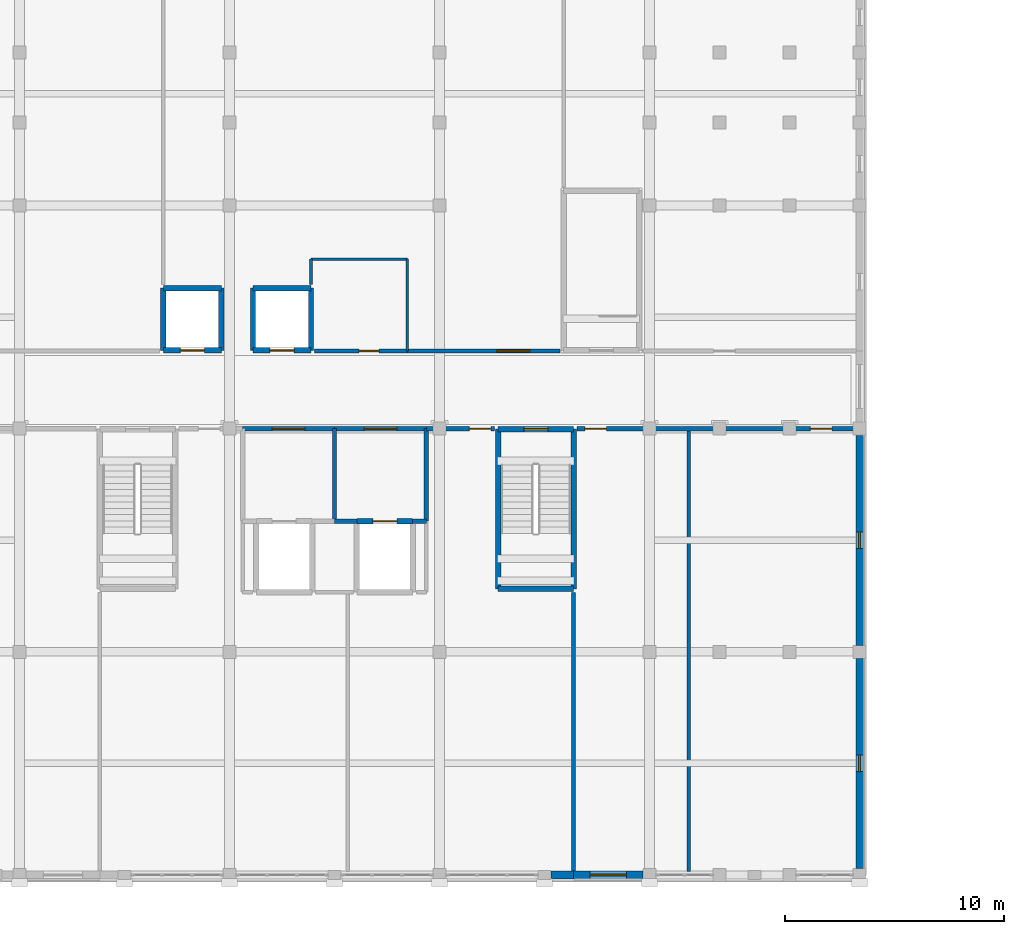
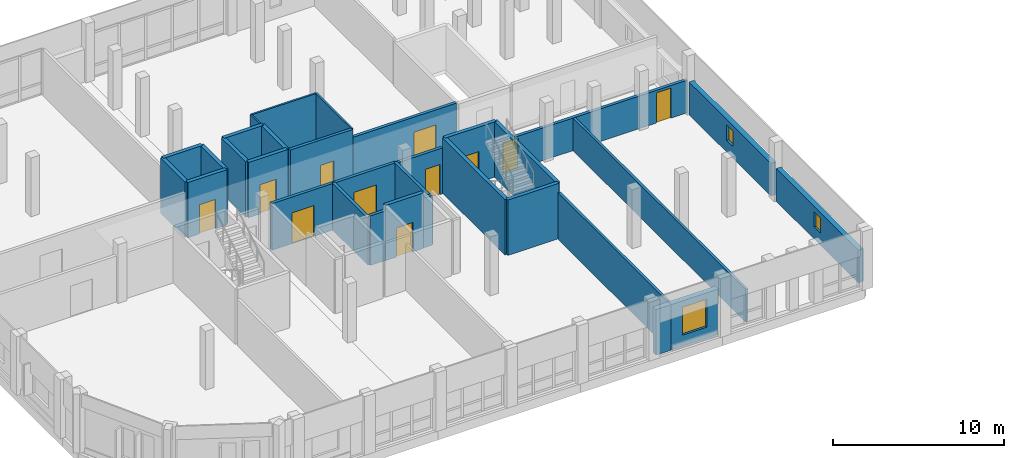
# One storey, part 80 of 93: 32 walls, 11 doors, 3 windows, 14 openings.
"""IFC4 building model written with IfcOpenShell, lengths in metres."""

from ifc_helpers import new_model, si_unit, direction, frame, frame_2d, origin, place, context, subcontext, project, spatial, rectangle, extrude, material, layer, layer_set, type_object, element, fill, save


model = new_model("IFC4")

# Units and contexts
model_context = context("Model", 3, precision=1e-05, world=origin(), true_north=direction((0.0, 1.0)))
body_context = subcontext(model_context, "Body", "Model", "MODEL_VIEW")
ifc_project = project(units=[si_unit("LENGTHUNIT", "METRE"), si_unit("AREAUNIT", "SQUARE_METRE"), si_unit("VOLUMEUNIT", "CUBIC_METRE"), si_unit("PLANEANGLEUNIT", "RADIAN"), si_unit("MASSUNIT", "GRAM", prefix="KILO")], contexts=[model_context])

# Site, building, storey
site_placement = place(None, origin())
site = spatial("IfcSite", under=ifc_project, at=site_placement, CompositionType="ELEMENT")
building_placement = place(site_placement, origin())
building = spatial("IfcBuilding", under=site, at=building_placement, Name="Vondelvale Polytechnic", CompositionType="ELEMENT")
storey_placement = place(building_placement, frame((0.0, 0.0, 18.0)))
storey = spatial("IfcBuildingStorey", under=building, at=storey_placement, Name="L04", CompositionType="ELEMENT", Elevation=18.0)

# Wall
ifc_material_1 = material(Name="Amsterdam School iron-spot clinker clay brickwork", Category="masonry")
ifc_layer_1 = layer(ifc_material_1, 0.35009765625)
ifc_layer_set_1 = layer_set([ifc_layer_1], Name="WL-BRICK-350")
wall_type_1 = type_object("IfcWallType", Name="WL-BRICK-350", PredefinedType="SOLIDWALL", material=ifc_layer_set_1)
wall_1_placement = place(storey_placement, frame((34.925048828125, 0.0, 0.0), z_axis=(0.0, 0.0, 1.0), x_axis=(-1.0, 0.0, 0.0)))
element("IfcWall", 1, at=wall_1_placement, inside=storey, type_object=wall_type_1, Name="L04 exterior masonry facade wall", PredefinedType="SOLIDWALL", context=body_context, shape_type="SweptSolid", body=[
    extrude(rectangle(XDim=1.024169921875, YDim=0.35009765625, at=frame_2d((0.51220703125, 0.0))), origin(), (0.0, 0.0, 1.0), 3.25),
])

# Wall, opening, window
wall_2_placement = place(storey_placement, frame((38.09912109375, 0.0, 0.0), z_axis=(0.0, 0.0, 1.0), x_axis=(-1.0, 0.0, 0.0)))
wall_2 = element("IfcWall", 2, at=wall_2_placement, inside=storey, type_object=wall_type_1, Name="L04 exterior masonry facade wall", PredefinedType="SOLIDWALL", context=body_context, shape_type="SweptSolid", body=[
    extrude(rectangle(XDim=3.174072265625, YDim=0.35009765625, at=frame_2d((1.5869140625, 0.0))), origin(), (0.0, 0.0, 1.0), 3.25),
])
opening_1_placement = place(wall_2_placement, frame((0.761962890625, 0.0, 0.800048828125)))
opening_1 = element("IfcOpeningElement", 3, at=opening_1_placement, cuts=wall_2, Name="Opening WN-0236", PredefinedType="OPENING", context=body_context, shape_type="SweptSolid", body=[
    extrude(rectangle(XDim=1.64990234375, YDim=2.0, at=frame_2d((0.824951171875, 1.0))), frame((0.0, 0.18505859375, 0.0), z_axis=(0.0, -1.0, 0.0), x_axis=(1.0, 0.0, 0.0)), (0.0, 0.0, 1.0), 0.3701171875),
])
ifc_material_2 = material(Name="Double-glazed low-E insulated architectural glass", Category="glass")
window_type_1 = type_object("IfcWindowType", Name="WN-LAB-1650x2000", PartitioningType="SINGLE_PANEL", PredefinedType="WINDOW", material=ifc_material_2)
window_1_placement = place(opening_1_placement, origin())
window_1 = element("IfcWindow", 4, at=window_1_placement, inside=storey, type_object=window_type_1, Name="L04 double-glazed architectural window WN-0236", OverallHeight=2.0, OverallWidth=1.64990234375, PartitioningType="SINGLE_PANEL", PredefinedType="WINDOW", context=body_context, shape_type="SweptSolid", body=[
    extrude(rectangle(XDim=1.64990234375, YDim=2.0, at=frame_2d((0.824951171875, 1.0))), frame((0.0, 0.030029296875, 0.0), z_axis=(0.0, -1.0, 0.0), x_axis=(1.0, 0.0, 0.0)), (0.0, 0.0, 1.0), 0.06005859375),
])
fill(opening_1, window_1)

wall_3_placement = place(storey_placement, frame((48.0, 9.89892578125, 0.0), z_axis=(0.0, 0.0, 1.0), x_axis=(0.0, -1.0, 0.0)))
wall_3 = element("IfcWall", 5, at=wall_3_placement, inside=storey, type_object=wall_type_1, Name="L04 exterior masonry facade wall", PredefinedType="SOLIDWALL", context=body_context, shape_type="SweptSolid", body=[
    extrude(rectangle(XDim=9.597900390625, YDim=0.35009765625, at=frame_2d((4.798828125, 0.0))), origin(), (0.0, 0.0, 1.0), 2.330078125),
])
opening_2_placement = place(wall_3_placement, frame((4.424072265625, 0.0, 0.85009765625)))
opening_2 = element("IfcOpeningElement", 6, at=opening_2_placement, cuts=wall_3, Name="Opening WN-0243", PredefinedType="OPENING", context=body_context, shape_type="SweptSolid", body=[
    extrude(rectangle(XDim=0.75, YDim=1.10009765625, at=frame_2d((0.375, 0.550048828125))), frame((0.0, 0.18505859375, 0.0), z_axis=(0.0, -1.0, 0.0), x_axis=(1.0, 0.0, 0.0)), (0.0, 0.0, 1.0), 0.3701171875),
])
window_type_2 = type_object("IfcWindowType", Name="WN-WC-0750x1100", PartitioningType="SINGLE_PANEL", PredefinedType="WINDOW", material=ifc_material_2)
window_2_placement = place(opening_2_placement, origin())
window_2 = element("IfcWindow", 7, at=window_2_placement, inside=storey, type_object=window_type_2, Name="L04 double-glazed architectural window WN-0243", OverallHeight=1.10009765625, OverallWidth=0.75, PartitioningType="SINGLE_PANEL", PredefinedType="WINDOW", context=body_context, shape_type="SweptSolid", body=[
    extrude(rectangle(XDim=0.75, YDim=1.10009765625, at=frame_2d((0.375, 0.550048828125))), frame((0.0, 0.030029296875, 0.0), z_axis=(0.0, -1.0, 0.0), x_axis=(1.0, 0.0, 0.0)), (0.0, 0.0, 1.0), 0.06005859375),
])
fill(opening_2, window_2)

wall_4_placement = place(storey_placement, frame((48.0, 20.09912109375, 0.0), z_axis=(0.0, 0.0, 1.0), x_axis=(0.0, -1.0, 0.0)))
wall_4 = element("IfcWall", 8, at=wall_4_placement, inside=storey, type_object=wall_type_1, Name="L04 exterior masonry facade wall", PredefinedType="SOLIDWALL", context=body_context, shape_type="SweptSolid", body=[
    extrude(rectangle(XDim=9.59814453125, YDim=0.35009765625, at=frame_2d((4.799072265625, 0.0))), origin(), (0.0, 0.0, 1.0), 2.330078125),
])
opening_3_placement = place(wall_4_placement, frame((4.424072265625, 0.0, 0.85009765625)))
opening_3 = element("IfcOpeningElement", 9, at=opening_3_placement, cuts=wall_4, Name="Opening WN-0244", PredefinedType="OPENING", context=body_context, shape_type="SweptSolid", body=[
    extrude(rectangle(XDim=0.75, YDim=1.10009765625, at=frame_2d((0.375, 0.550048828125))), frame((0.0, 0.18505859375, 0.0), z_axis=(0.0, -1.0, 0.0), x_axis=(1.0, 0.0, 0.0)), (0.0, 0.0, 1.0), 0.3701171875),
])
window_3_placement = place(opening_3_placement, origin())
window_3 = element("IfcWindow", 10, at=window_3_placement, inside=storey, type_object=window_type_2, Name="L04 double-glazed architectural window WN-0244", OverallHeight=1.10009765625, OverallWidth=0.75, PartitioningType="SINGLE_PANEL", PredefinedType="WINDOW", context=body_context, shape_type="SweptSolid", body=[
    extrude(rectangle(XDim=0.75, YDim=1.10009765625, at=frame_2d((0.375, 0.550048828125))), frame((0.0, 0.030029296875, 0.0), z_axis=(0.0, -1.0, 0.0), x_axis=(1.0, 0.0, 0.0)), (0.0, 0.0, 1.0), 0.06005859375),
])
fill(opening_3, window_3)

# Walls
ifc_material_3 = material(Name="Concrete N40 (f'c = 40 MPa)", Category="concrete")
ifc_layer_2 = layer(ifc_material_3, 0.25)
ifc_layer_set_2 = layer_set([ifc_layer_2], Name="WL-CORE-250")
wall_type_2 = type_object("IfcWallType", Name="WL-CORE-250", PredefinedType="SOLIDWALL", material=ifc_layer_set_2)
wall_5_placement = place(storey_placement, frame((31.47509765625, 20.375, 0.0), z_axis=(0.0, 0.0, 1.0), x_axis=(0.0, -1.0, 0.0)))
element("IfcWall", 11, at=wall_5_placement, inside=storey, type_object=wall_type_2, Name="L04 ST-04 reinforced concrete stair core wall", PredefinedType="SOLIDWALL", context=body_context, shape_type="SweptSolid", body=[
    extrude(rectangle(XDim=7.300048828125, YDim=0.25, at=frame_2d((3.64990234375, 0.0))), origin(), (0.0, 0.0, 1.0), 3.949951171875),
])
wall_6_placement = place(storey_placement, frame((31.47509765625, 13.074951171875, 0.0), z_axis=(0.0, 0.0, 1.0), x_axis=(1.0, 0.0, 0.0)))
element("IfcWall", 12, at=wall_6_placement, inside=storey, type_object=wall_type_2, Name="L04 ST-04 reinforced concrete stair core wall", PredefinedType="SOLIDWALL", context=body_context, shape_type="SweptSolid", body=[
    extrude(rectangle(XDim=3.449951171875, YDim=0.25, at=frame_2d((1.72509765625, 0.0))), origin(), (0.0, 0.0, 1.0), 3.949951171875),
])
wall_7_placement = place(storey_placement, frame((34.925048828125, 13.074951171875, 0.0), z_axis=(0.0, 0.0, 1.0), x_axis=(0.0, 1.0, 0.0)))
element("IfcWall", 13, at=wall_7_placement, inside=storey, type_object=wall_type_2, Name="L04 ST-04 reinforced concrete stair core wall", PredefinedType="SOLIDWALL", context=body_context, shape_type="SweptSolid", body=[
    extrude(rectangle(XDim=7.300048828125, YDim=0.25, at=frame_2d((3.64990234375, 0.0))), origin(), (0.0, 0.0, 1.0), 3.949951171875),
])

# Wall, opening, door
wall_8_placement = place(storey_placement, frame((34.925048828125, 20.375, 0.0), z_axis=(0.0, 0.0, 1.0), x_axis=(-1.0, 0.0, 0.0)))
wall_8 = element("IfcWall", 14, at=wall_8_placement, inside=storey, type_object=wall_type_2, Name="L04 ST-04 reinforced concrete stair core wall", PredefinedType="SOLIDWALL", context=body_context, shape_type="SweptSolid", body=[
    extrude(rectangle(XDim=3.449951171875, YDim=0.25, at=frame_2d((1.72509765625, 0.0))), origin(), (0.0, 0.0, 1.0), 3.949951171875),
])
opening_4_placement = place(wall_8_placement, frame((1.175048828125, 0.0, 0.0)))
opening_4 = element("IfcOpeningElement", 15, at=opening_4_placement, cuts=wall_8, Name="Opening SD-023", PredefinedType="OPENING", context=body_context, shape_type="SweptSolid", body=[
    extrude(rectangle(XDim=1.10009765625, YDim=2.199951171875, at=frame_2d((0.550048828125, 1.10009765625))), frame((0.0, 0.135009765625, 0.0), z_axis=(0.0, -1.0, 0.0), x_axis=(1.0, 0.0, 0.0)), (0.0, 0.0, 1.0), 0.27001953125),
])
ifc_material_4 = material(Name="Brushed architectural stainless and zinc-coated metal")
door_type_1 = type_object("IfcDoorType", Name="DR-STAIR-1100x2200", OperationType="SINGLE_SWING_LEFT", PredefinedType="DOOR", material=ifc_material_4)
door_1_placement = place(opening_4_placement, origin())
door_1 = element("IfcDoor", 16, at=door_1_placement, inside=storey, type_object=door_type_1, Name="L04 ST-04 fire-isolated stair door", OperationType="SINGLE_SWING_LEFT", OverallHeight=2.199951171875, OverallWidth=1.10009765625, PredefinedType="DOOR", context=body_context, shape_type="SweptSolid", body=[
    extrude(rectangle(XDim=1.10009765625, YDim=2.199951171875, at=frame_2d((0.550048828125, 1.10009765625))), frame((0.0, 0.02490234375, 0.0), z_axis=(0.0, -1.0, 0.0), x_axis=(1.0, 0.0, 0.0)), (0.0, 0.0, 1.0), 0.050048828125),
])
fill(opening_4, door_1)

ifc_material_5 = material(Name="Fire-rated double-layer plasterboard stud partition")
ifc_layer_3 = layer(ifc_material_5, 0.199951171875)
ifc_layer_set_3 = layer_set([ifc_layer_3], Name="WL-CORR-200")
wall_type_3 = type_object("IfcWallType", Name="WL-CORR-200", PredefinedType="PARTITIONING", material=ifc_layer_set_3)
wall_9_placement = place(storey_placement, frame((19.800048828125, 20.39990234375, 0.0), z_axis=(0.0, 0.0, 1.0), x_axis=(1.0, 0.0, 0.0)))
wall_9 = element("IfcWall", 17, at=wall_9_placement, inside=storey, type_object=wall_type_3, Name="L04 EL-01 fire-isolated lift lobby wall", PredefinedType="PARTITIONING", context=body_context, shape_type="SweptSolid", body=[
    extrude(rectangle(XDim=4.199951171875, YDim=0.199951171875, at=frame_2d((2.10009765625, 0.0))), origin(), (0.0, 0.0, 1.0), 3.330078125),
])
opening_5_placement = place(wall_9_placement, frame((1.35009765625, 0.0, 0.0)))
opening_5 = element("IfcOpeningElement", 18, at=opening_5_placement, cuts=wall_9, Name="Opening LBD-061", PredefinedType="OPENING", context=body_context, shape_type="SweptSolid", body=[
    extrude(rectangle(XDim=1.5, YDim=2.199951171875, at=frame_2d((0.75, 1.10009765625))), frame((0.0, 0.10986328125, 0.0), z_axis=(0.0, -1.0, 0.0), x_axis=(1.0, 0.0, 0.0)), (0.0, 0.0, 1.0), 0.219970703125),
])
ifc_material_6 = material(Name="Engineered Tasmanian oak studio and bridge joinery")
door_type_2 = type_object("IfcDoorType", Name="DR-LOBBY-1500x2200", OperationType="DOUBLE_DOOR_SINGLE_SWING", PredefinedType="DOOR", material=ifc_material_6)
door_2_placement = place(opening_5_placement, origin())
door_2 = element("IfcDoor", 19, at=door_2_placement, inside=storey, type_object=door_type_2, Name="L04 EL-01 firefighting lobby smoke door", OperationType="SINGLE_SWING_LEFT", OverallHeight=2.199951171875, OverallWidth=1.5, PredefinedType="DOOR", context=body_context, shape_type="SweptSolid", body=[
    extrude(rectangle(XDim=1.5, YDim=2.199951171875, at=frame_2d((0.75, 1.10009765625))), frame((0.0, 0.02490234375, 0.0), z_axis=(0.0, -1.0, 0.0), x_axis=(1.0, 0.0, 0.0)), (0.0, 0.0, 1.0), 0.050048828125),
])
fill(opening_5, door_2)

# Wall
wall_10_placement = place(storey_placement, frame((24.0, 16.175048828125, 0.0), z_axis=(0.0, 0.0, 1.0), x_axis=(0.0, 1.0, 0.0)))
element("IfcWall", 20, at=wall_10_placement, inside=storey, type_object=wall_type_3, Name="L04 EL-01 fire-isolated lift lobby wall", PredefinedType="PARTITIONING", context=body_context, shape_type="SweptSolid", body=[
    extrude(rectangle(XDim=4.224853515625, YDim=0.199951171875, at=frame_2d((2.1123046875, 0.0))), origin(), (0.0, 0.0, 1.0), 3.330078125),
])

# Wall, opening, door
wall_11_placement = place(storey_placement, frame((24.0, 20.39990234375, 0.0), z_axis=(0.0, 0.0, 1.0), x_axis=(1.0, 0.0, 0.0)))
wall_11 = element("IfcWall", 21, at=wall_11_placement, inside=storey, type_object=wall_type_3, Name="L04 EL-02 fire-isolated lift lobby wall", PredefinedType="PARTITIONING", context=body_context, shape_type="SweptSolid", body=[
    extrude(rectangle(XDim=4.199951171875, YDim=0.199951171875, at=frame_2d((2.10009765625, 0.0))), origin(), (0.0, 0.0, 1.0), 3.330078125),
])
opening_6_placement = place(wall_11_placement, frame((1.35009765625, 0.0, 0.0)))
opening_6 = element("IfcOpeningElement", 22, at=opening_6_placement, cuts=wall_11, Name="Opening LBD-070", PredefinedType="OPENING", context=body_context, shape_type="SweptSolid", body=[
    extrude(rectangle(XDim=1.5, YDim=2.199951171875, at=frame_2d((0.75, 1.10009765625))), frame((0.0, 0.10986328125, 0.0), z_axis=(0.0, -1.0, 0.0), x_axis=(1.0, 0.0, 0.0)), (0.0, 0.0, 1.0), 0.219970703125),
])
door_3_placement = place(opening_6_placement, origin())
door_3 = element("IfcDoor", 23, at=door_3_placement, inside=storey, type_object=door_type_2, Name="L04 EL-02 firefighting lobby smoke door", OperationType="SINGLE_SWING_LEFT", OverallHeight=2.199951171875, OverallWidth=1.5, PredefinedType="DOOR", context=body_context, shape_type="SweptSolid", body=[
    extrude(rectangle(XDim=1.5, YDim=2.199951171875, at=frame_2d((0.75, 1.10009765625))), frame((0.0, 0.02490234375, 0.0), z_axis=(0.0, -1.0, 0.0), x_axis=(1.0, 0.0, 0.0)), (0.0, 0.0, 1.0), 0.050048828125),
])
fill(opening_6, door_3)

# Walls
wall_12_placement = place(storey_placement, frame((28.199951171875, 16.175048828125, 0.0), z_axis=(0.0, 0.0, 1.0), x_axis=(0.0, 1.0, 0.0)))
element("IfcWall", 24, at=wall_12_placement, inside=storey, type_object=wall_type_3, Name="L04 EL-02 fire-isolated lift lobby wall", PredefinedType="PARTITIONING", context=body_context, shape_type="SweptSolid", body=[
    extrude(rectangle(XDim=4.224853515625, YDim=0.199951171875, at=frame_2d((2.1123046875, 0.0))), origin(), (0.0, 0.0, 1.0), 3.330078125),
])
wall_13_placement = place(storey_placement, frame((24.0, 16.175048828125, 0.0), z_axis=(0.0, 0.0, 1.0), x_axis=(1.0, 0.0, 0.0)))
element("IfcWall", 25, at=wall_13_placement, inside=storey, type_object=wall_type_3, Name="L04 EL-02 fire-isolated lift lobby wall", PredefinedType="PARTITIONING", context=body_context, shape_type="SweptSolid", body=[
    extrude(rectangle(XDim=1.02490234375, YDim=0.199951171875, at=frame_2d((0.512451171875, 0.0))), origin(), (0.0, 0.0, 1.0), 3.550048828125),
])
wall_14_placement = place(storey_placement, frame((27.574951171875, 16.175048828125, 0.0), z_axis=(0.0, 0.0, 1.0), x_axis=(1.0, 0.0, 0.0)))
element("IfcWall", 26, at=wall_14_placement, inside=storey, type_object=wall_type_3, Name="L04 EL-02 fire-isolated lift lobby wall", PredefinedType="PARTITIONING", context=body_context, shape_type="SweptSolid", body=[
    extrude(rectangle(XDim=0.625, YDim=0.199951171875, at=frame_2d((0.3125, 0.0))), origin(), (0.0, 0.0, 1.0), 3.550048828125),
])

# Wall, opening, door
wall_15_placement = place(storey_placement, frame((28.199951171875, 20.39990234375, 0.0), z_axis=(0.0, 0.0, 1.0), x_axis=(1.0, 0.0, 0.0)))
wall_15 = element("IfcWall", 27, at=wall_15_placement, inside=storey, type_object=wall_type_3, Name="L04 interior acoustic partition", PredefinedType="PARTITIONING", context=body_context, shape_type="SweptSolid", body=[
    extrude(rectangle(XDim=3.110107421875, YDim=0.199951171875, at=frame_2d((1.55517578125, 0.0))), origin(), (0.0, 0.0, 1.0), 3.280029296875),
])
opening_7_placement = place(wall_15_placement, frame((1.969970703125, 0.0, 0.0)))
opening_7 = element("IfcOpeningElement", 28, at=opening_7_placement, cuts=wall_15, Name="Opening ID-0179", PredefinedType="OPENING", context=body_context, shape_type="SweptSolid", body=[
    extrude(rectangle(XDim=0.97998046875, YDim=2.14990234375, at=frame_2d((0.489990234375, 1.074951171875))), frame((0.0, 0.10986328125, 0.0), z_axis=(0.0, -1.0, 0.0), x_axis=(1.0, 0.0, 0.0)), (0.0, 0.0, 1.0), 0.219970703125),
])
ifc_material_7 = material(Name="Fire-rated solid Tasmanian oak joinery")
door_type_3 = type_object("IfcDoorType", Name="DR-INT-0980x2150", OperationType="SINGLE_SWING_RIGHT", PredefinedType="DOOR", material=ifc_material_7)
door_4_placement = place(opening_7_placement, origin())
door_4 = element("IfcDoor", 29, at=door_4_placement, inside=storey, type_object=door_type_3, Name="L04 interior room door ID-0179", OperationType="SINGLE_SWING_LEFT", OverallHeight=2.14990234375, OverallWidth=0.97998046875, PredefinedType="DOOR", context=body_context, shape_type="SweptSolid", body=[
    extrude(rectangle(XDim=0.97998046875, YDim=2.14990234375, at=frame_2d((0.489990234375, 1.074951171875))), frame((0.0, 0.02490234375, 0.0), z_axis=(0.0, -1.0, 0.0), x_axis=(1.0, 0.0, 0.0)), (0.0, 0.0, 1.0), 0.050048828125),
])
fill(opening_7, door_4)

# Wall, openings, doors
wall_16_placement = place(storey_placement, frame((35.090087890625, 20.39990234375, 0.0), z_axis=(0.0, 0.0, 1.0), x_axis=(1.0, 0.0, 0.0)))
wall_16 = element("IfcWall", 30, at=wall_16_placement, inside=storey, type_object=wall_type_3, Name="L04 interior acoustic partition", PredefinedType="PARTITIONING", context=body_context, shape_type="SweptSolid", body=[
    extrude(rectangle(XDim=12.760009765625, YDim=0.199951171875, at=frame_2d((6.3798828125, 0.0))), origin(), (0.0, 0.0, 1.0), 2.330078125),
])
opening_8_placement = place(wall_16_placement, frame((0.35498046875, 0.0, 0.0)))
opening_8 = element("IfcOpeningElement", 31, at=opening_8_placement, cuts=wall_16, Name="Opening ID-0180", PredefinedType="OPENING", context=body_context, shape_type="SweptSolid", body=[
    extrude(rectangle(XDim=0.97998046875, YDim=2.14990234375, at=frame_2d((0.489990234375, 1.074951171875))), frame((0.0, 0.10986328125, 0.0), z_axis=(0.0, -1.0, 0.0), x_axis=(1.0, 0.0, 0.0)), (0.0, 0.0, 1.0), 0.219970703125),
])
opening_9_placement = place(wall_16_placement, frame((10.659912109375, 0.0, 0.0)))
opening_9 = element("IfcOpeningElement", 32, at=opening_9_placement, cuts=wall_16, Name="Opening ID-0181", PredefinedType="OPENING", context=body_context, shape_type="SweptSolid", body=[
    extrude(rectangle(XDim=0.97998046875, YDim=2.14990234375, at=frame_2d((0.489990234375, 1.074951171875))), frame((0.0, 0.10986328125, 0.0), z_axis=(0.0, -1.0, 0.0), x_axis=(1.0, 0.0, 0.0)), (0.0, 0.0, 1.0), 0.219970703125),
])
door_5_placement = place(opening_8_placement, origin())
door_5 = element("IfcDoor", 33, at=door_5_placement, inside=storey, type_object=door_type_3, Name="L04 interior room door ID-0180", OperationType="SINGLE_SWING_RIGHT", OverallHeight=2.14990234375, OverallWidth=0.97998046875, PredefinedType="DOOR", context=body_context, shape_type="SweptSolid", body=[
    extrude(rectangle(XDim=0.97998046875, YDim=2.14990234375, at=frame_2d((0.489990234375, 1.074951171875))), frame((0.0, 0.02490234375, 0.0), z_axis=(0.0, -1.0, 0.0), x_axis=(1.0, 0.0, 0.0)), (0.0, 0.0, 1.0), 0.050048828125),
])
fill(opening_8, door_5)
door_6_placement = place(opening_9_placement, origin())
door_6 = element("IfcDoor", 34, at=door_6_placement, inside=storey, type_object=door_type_3, Name="L04 interior room door ID-0181", OperationType="SINGLE_SWING_LEFT", OverallHeight=2.14990234375, OverallWidth=0.97998046875, PredefinedType="DOOR", context=body_context, shape_type="SweptSolid", body=[
    extrude(rectangle(XDim=0.97998046875, YDim=2.14990234375, at=frame_2d((0.489990234375, 1.074951171875))), frame((0.0, 0.02490234375, 0.0), z_axis=(0.0, -1.0, 0.0), x_axis=(1.0, 0.0, 0.0)), (0.0, 0.0, 1.0), 0.050048828125),
])
fill(opening_9, door_6)

# Wall, opening, door
wall_17_placement = place(storey_placement, frame((23.090087890625, 23.949951171875, 0.0), z_axis=(0.0, 0.0, 1.0), x_axis=(1.0, 0.0, 0.0)))
wall_17 = element("IfcWall", 35, at=wall_17_placement, inside=storey, type_object=wall_type_3, Name="L04 interior acoustic partition", PredefinedType="PARTITIONING", context=body_context, shape_type="SweptSolid", body=[
    extrude(rectangle(XDim=4.23486328125, YDim=0.199951171875, at=frame_2d((2.117431640625, 0.0))), origin(), (0.0, 0.0, 1.0), 3.85009765625),
])
opening_10_placement = place(wall_17_placement, frame((2.034912109375, 0.0, 0.0)))
opening_10 = element("IfcOpeningElement", 36, at=opening_10_placement, cuts=wall_17, Name="Opening ID-0182", PredefinedType="OPENING", context=body_context, shape_type="SweptSolid", body=[
    extrude(rectangle(XDim=0.89990234375, YDim=2.050048828125, at=frame_2d((0.449951171875, 1.02490234375))), frame((0.0, 0.10986328125, 0.0), z_axis=(0.0, -1.0, 0.0), x_axis=(1.0, 0.0, 0.0)), (0.0, 0.0, 1.0), 0.219970703125),
])
door_type_4 = type_object("IfcDoorType", Name="DR-WC-0900x2050", OperationType="SINGLE_SWING_RIGHT", PredefinedType="DOOR", material=ifc_material_7)
door_7_placement = place(opening_10_placement, origin())
door_7 = element("IfcDoor", 37, at=door_7_placement, inside=storey, type_object=door_type_4, Name="L04 interior room door ID-0182", OperationType="SINGLE_SWING_RIGHT", OverallHeight=2.050048828125, OverallWidth=0.89990234375, PredefinedType="DOOR", context=body_context, shape_type="SweptSolid", body=[
    extrude(rectangle(XDim=0.89990234375, YDim=2.050048828125, at=frame_2d((0.449951171875, 1.02490234375))), frame((0.0, 0.02490234375, 0.0), z_axis=(0.0, -1.0, 0.0), x_axis=(1.0, 0.0, 0.0)), (0.0, 0.0, 1.0), 0.050048828125),
])
fill(opening_10, door_7)

wall_18_placement = place(storey_placement, frame((27.324951171875, 23.949951171875, 0.0), z_axis=(0.0, 0.0, 1.0), x_axis=(1.0, 0.0, 0.0)))
wall_18 = element("IfcWall", 38, at=wall_18_placement, inside=storey, type_object=wall_type_3, Name="L04 interior acoustic partition", PredefinedType="PARTITIONING", context=body_context, shape_type="SweptSolid", body=[
    extrude(rectangle(XDim=6.985107421875, YDim=0.199951171875, at=frame_2d((3.49267578125, 0.0))), origin(), (0.0, 0.0, 1.0), 3.280029296875),
])
opening_11_placement = place(wall_18_placement, frame((4.10009765625, 0.0, 0.0)))
opening_11 = element("IfcOpeningElement", 39, at=opening_11_placement, cuts=wall_18, Name="Opening ID-0184", PredefinedType="OPENING", context=body_context, shape_type="SweptSolid", body=[
    extrude(rectangle(XDim=1.5, YDim=2.199951171875, at=frame_2d((0.75, 1.10009765625))), frame((0.0, 0.10986328125, 0.0), z_axis=(0.0, -1.0, 0.0), x_axis=(1.0, 0.0, 0.0)), (0.0, 0.0, 1.0), 0.219970703125),
])
door_type_5 = type_object("IfcDoorType", Name="DR-LAB-1500x2200", OperationType="DOUBLE_DOOR_SINGLE_SWING", PredefinedType="DOOR", material=ifc_material_7)
door_8_placement = place(opening_11_placement, origin())
door_8 = element("IfcDoor", 40, at=door_8_placement, inside=storey, type_object=door_type_5, Name="L04 interior room door ID-0184", OperationType="DOUBLE_DOOR_SINGLE_SWING", OverallHeight=2.199951171875, OverallWidth=1.5, PredefinedType="DOOR", context=body_context, shape_type="SweptSolid", body=[
    extrude(rectangle(XDim=1.5, YDim=2.199951171875, at=frame_2d((0.75, 1.10009765625))), frame((0.0, 0.02490234375, 0.0), z_axis=(0.0, -1.0, 0.0), x_axis=(1.0, 0.0, 0.0)), (0.0, 0.0, 1.0), 0.050048828125),
])
fill(opening_11, door_8)

# Walls
ifc_layer_4 = layer(ifc_material_5, 0.1201171875)
ifc_layer_set_4 = layer_set([ifc_layer_4], Name="WL-INT-120")
wall_type_4 = type_object("IfcWallType", Name="WL-INT-120", PredefinedType="PARTITIONING", material=ifc_layer_set_4)
wall_19_placement = place(storey_placement, frame((22.925048828125, 26.989990234375, 0.0), z_axis=(0.0, 0.0, 1.0), x_axis=(0.0, 1.0, 0.0)))
element("IfcWall", 41, at=wall_19_placement, inside=storey, type_object=wall_type_4, Name="L04 interior acoustic partition", PredefinedType="PARTITIONING", context=body_context, shape_type="SweptSolid", body=[
    extrude(rectangle(XDim=1.159912109375, YDim=0.1201171875, at=frame_2d((0.580078125, 0.0))), origin(), (0.0, 0.0, 1.0), 3.85009765625),
])
wall_20_placement = place(storey_placement, frame((22.925048828125, 28.14990234375, 0.0), z_axis=(0.0, 0.0, 1.0), x_axis=(1.0, 0.0, 0.0)))
element("IfcWall", 42, at=wall_20_placement, inside=storey, type_object=wall_type_4, Name="L04 interior acoustic partition", PredefinedType="PARTITIONING", context=body_context, shape_type="SweptSolid", body=[
    extrude(rectangle(XDim=4.39990234375, YDim=0.1201171875, at=frame_2d((2.199951171875, 0.0))), origin(), (0.0, 0.0, 1.0), 3.85009765625),
])
wall_21_placement = place(storey_placement, frame((27.324951171875, 23.949951171875, 0.0), z_axis=(0.0, 0.0, 1.0), x_axis=(0.0, 1.0, 0.0)))
element("IfcWall", 43, at=wall_21_placement, inside=storey, type_object=wall_type_4, Name="L04 interior acoustic partition", PredefinedType="PARTITIONING", context=body_context, shape_type="SweptSolid", body=[
    extrude(rectangle(XDim=4.199951171875, YDim=0.1201171875, at=frame_2d((2.10009765625, 0.0))), origin(), (0.0, 0.0, 1.0), 3.85009765625),
])
ifc_layer_5 = layer(ifc_material_5, 0.1650390625)
ifc_layer_set_5 = layer_set([ifc_layer_5], Name="WL-INT-165")
wall_type_5 = type_object("IfcWallType", Name="WL-INT-165", PredefinedType="PARTITIONING", material=ifc_layer_set_5)
wall_22_placement = place(storey_placement, frame((34.925048828125, 0.14990234375, 0.0), z_axis=(0.0, 0.0, 1.0), x_axis=(0.0, 1.0, 0.0)))
element("IfcWall", 44, at=wall_22_placement, inside=storey, type_object=wall_type_5, Name="L04 interior acoustic partition", PredefinedType="PARTITIONING", context=body_context, shape_type="SweptSolid", body=[
    extrude(rectangle(XDim=12.760009765625, YDim=0.1650390625, at=frame_2d((6.3798828125, 0.0))), origin(), (0.0, 0.0, 1.0), 3.330078125),
])
wall_23_placement = place(storey_placement, frame((40.199951171875, 0.14990234375, 0.0), z_axis=(0.0, 0.0, 1.0), x_axis=(0.0, 1.0, 0.0)))
element("IfcWall", 45, at=wall_23_placement, inside=storey, type_object=wall_type_5, Name="L04 interior acoustic partition", PredefinedType="PARTITIONING", context=body_context, shape_type="SweptSolid", body=[
    extrude(rectangle(XDim=20.25, YDim=0.1650390625, at=frame_2d((10.125, 0.0))), origin(), (0.0, 0.0, 1.0), 2.330078125),
])

# Wall, opening, door
ifc_layer_6 = layer(ifc_material_3, 0.25)
ifc_layer_set_6 = layer_set([ifc_layer_6], Name="WL-SHAFT-250")
wall_type_6 = type_object("IfcWallType", Name="WL-SHAFT-250", PredefinedType="SOLIDWALL", material=ifc_layer_set_6)
wall_24_placement = place(storey_placement, frame((27.574951171875, 16.175048828125, 0.0), z_axis=(0.0, 0.0, 1.0), x_axis=(-1.0, 0.0, 0.0)))
wall_24 = element("IfcWall", 46, at=wall_24_placement, inside=storey, type_object=wall_type_6, Name="L04 EL-02 lift shaft wall N", PredefinedType="SOLIDWALL", context=body_context, shape_type="SweptSolid", body=[
    extrude(rectangle(XDim=2.550048828125, YDim=0.25, at=frame_2d((1.27490234375, 0.0))), origin(), (0.0, 0.0, 1.0), 3.949951171875),
])
opening_12_placement = place(wall_24_placement, frame((0.72509765625, 0.0, 0.0)))
opening_12 = element("IfcOpeningElement", 47, at=opening_12_placement, cuts=wall_24, Name="Opening LD-015", PredefinedType="OPENING", context=body_context, shape_type="SweptSolid", body=[
    extrude(rectangle(XDim=1.10009765625, YDim=2.10009765625, at=frame_2d((0.550048828125, 1.050048828125))), frame((0.0, 0.135009765625, 0.0), z_axis=(0.0, -1.0, 0.0), x_axis=(1.0, 0.0, 0.0)), (0.0, 0.0, 1.0), 0.27001953125),
])
door_type_6 = type_object("IfcDoorType", Name="DR-LIFT-1100x2100", OperationType="SLIDING_TO_LEFT", PredefinedType="DOOR", material=ifc_material_4)
door_9_placement = place(opening_12_placement, origin())
door_9 = element("IfcDoor", 48, at=door_9_placement, inside=storey, type_object=door_type_6, Name="L04 EL-02 sliding lift landing door", OperationType="SLIDING_TO_LEFT", OverallHeight=2.10009765625, OverallWidth=1.10009765625, PredefinedType="DOOR", context=body_context, shape_type="SweptSolid", body=[
    extrude(rectangle(XDim=1.10009765625, YDim=2.10009765625, at=frame_2d((0.550048828125, 1.050048828125))), frame((0.0, 0.02490234375, 0.0), z_axis=(0.0, -1.0, 0.0), x_axis=(1.0, 0.0, 0.0)), (0.0, 0.0, 1.0), 0.050048828125),
])
fill(opening_12, door_9)

wall_25_placement = place(storey_placement, frame((16.175048828125, 23.97509765625, 0.0), z_axis=(0.0, 0.0, 1.0), x_axis=(1.0, 0.0, 0.0)))
wall_25 = element("IfcWall", 49, at=wall_25_placement, inside=storey, type_object=wall_type_6, Name="L04 PL-01 lift shaft wall S", PredefinedType="SOLIDWALL", context=body_context, shape_type="SweptSolid", body=[
    extrude(rectangle(XDim=2.64990234375, YDim=0.25, at=frame_2d((1.324951171875, 0.0))), origin(), (0.0, 0.0, 1.0), 3.949951171875),
])
opening_13_placement = place(wall_25_placement, frame((0.77490234375, 0.0, 0.0)))
opening_13 = element("IfcOpeningElement", 50, at=opening_13_placement, cuts=wall_25, Name="Opening LD-024", PredefinedType="OPENING", context=body_context, shape_type="SweptSolid", body=[
    extrude(rectangle(XDim=1.10009765625, YDim=2.10009765625, at=frame_2d((0.550048828125, 1.050048828125))), frame((0.0, 0.135009765625, 0.0), z_axis=(0.0, -1.0, 0.0), x_axis=(1.0, 0.0, 0.0)), (0.0, 0.0, 1.0), 0.27001953125),
])
door_10_placement = place(opening_13_placement, origin())
door_10 = element("IfcDoor", 51, at=door_10_placement, inside=storey, type_object=door_type_6, Name="L04 PL-01 sliding lift landing door", OperationType="SLIDING_TO_LEFT", OverallHeight=2.10009765625, OverallWidth=1.10009765625, PredefinedType="DOOR", context=body_context, shape_type="SweptSolid", body=[
    extrude(rectangle(XDim=1.10009765625, YDim=2.10009765625, at=frame_2d((0.550048828125, 1.050048828125))), frame((0.0, 0.02490234375, 0.0), z_axis=(0.0, -1.0, 0.0), x_axis=(1.0, 0.0, 0.0)), (0.0, 0.0, 1.0), 0.050048828125),
])
fill(opening_13, door_10)

# Walls
wall_26_placement = place(storey_placement, frame((18.824951171875, 23.97509765625, 0.0), z_axis=(0.0, 0.0, 1.0), x_axis=(0.0, 1.0, 0.0)))
element("IfcWall", 52, at=wall_26_placement, inside=storey, type_object=wall_type_6, Name="L04 PL-01 lift shaft wall E", PredefinedType="SOLIDWALL", context=body_context, shape_type="SweptSolid", body=[
    extrude(rectangle(XDim=2.849853515625, YDim=0.25, at=frame_2d((1.4248046875, 0.0))), origin(), (0.0, 0.0, 1.0), 3.949951171875),
])
wall_27_placement = place(storey_placement, frame((18.824951171875, 26.824951171875, 0.0), z_axis=(0.0, 0.0, 1.0), x_axis=(-1.0, 0.0, 0.0)))
element("IfcWall", 53, at=wall_27_placement, inside=storey, type_object=wall_type_6, Name="L04 PL-01 lift shaft wall N", PredefinedType="SOLIDWALL", context=body_context, shape_type="SweptSolid", body=[
    extrude(rectangle(XDim=2.64990234375, YDim=0.25, at=frame_2d((1.324951171875, 0.0))), origin(), (0.0, 0.0, 1.0), 3.949951171875),
])
wall_28_placement = place(storey_placement, frame((16.175048828125, 26.824951171875, 0.0), z_axis=(0.0, 0.0, 1.0), x_axis=(0.0, -1.0, 0.0)))
element("IfcWall", 54, at=wall_28_placement, inside=storey, type_object=wall_type_6, Name="L04 PL-01 lift shaft wall W", PredefinedType="SOLIDWALL", context=body_context, shape_type="SweptSolid", body=[
    extrude(rectangle(XDim=2.849853515625, YDim=0.25, at=frame_2d((1.4248046875, 0.0))), origin(), (0.0, 0.0, 1.0), 3.949951171875),
])

# Wall, opening, door
wall_29_placement = place(storey_placement, frame((20.27490234375, 23.97509765625, 0.0), z_axis=(0.0, 0.0, 1.0), x_axis=(1.0, 0.0, 0.0)))
wall_29 = element("IfcWall", 55, at=wall_29_placement, inside=storey, type_object=wall_type_6, Name="L04 PL-02 lift shaft wall S", PredefinedType="SOLIDWALL", context=body_context, shape_type="SweptSolid", body=[
    extrude(rectangle(XDim=2.650146484375, YDim=0.25, at=frame_2d((1.3251953125, 0.0))), origin(), (0.0, 0.0, 1.0), 3.949951171875),
])
opening_14_placement = place(wall_29_placement, frame((0.77490234375, 0.0, 0.0)))
opening_14 = element("IfcOpeningElement", 56, at=opening_14_placement, cuts=wall_29, Name="Opening LD-033", PredefinedType="OPENING", context=body_context, shape_type="SweptSolid", body=[
    extrude(rectangle(XDim=1.10009765625, YDim=2.10009765625, at=frame_2d((0.550048828125, 1.050048828125))), frame((0.0, 0.135009765625, 0.0), z_axis=(0.0, -1.0, 0.0), x_axis=(1.0, 0.0, 0.0)), (0.0, 0.0, 1.0), 0.27001953125),
])
door_11_placement = place(opening_14_placement, origin())
door_11 = element("IfcDoor", 57, at=door_11_placement, inside=storey, type_object=door_type_6, Name="L04 PL-02 sliding lift landing door", OperationType="SLIDING_TO_LEFT", OverallHeight=2.10009765625, OverallWidth=1.10009765625, PredefinedType="DOOR", context=body_context, shape_type="SweptSolid", body=[
    extrude(rectangle(XDim=1.10009765625, YDim=2.10009765625, at=frame_2d((0.550048828125, 1.050048828125))), frame((0.0, 0.02490234375, 0.0), z_axis=(0.0, -1.0, 0.0), x_axis=(1.0, 0.0, 0.0)), (0.0, 0.0, 1.0), 0.050048828125),
])
fill(opening_14, door_11)

# Walls
wall_30_placement = place(storey_placement, frame((22.925048828125, 23.97509765625, 0.0), z_axis=(0.0, 0.0, 1.0), x_axis=(0.0, 1.0, 0.0)))
element("IfcWall", 58, at=wall_30_placement, inside=storey, type_object=wall_type_6, Name="L04 PL-02 lift shaft wall E", PredefinedType="SOLIDWALL", context=body_context, shape_type="SweptSolid", body=[
    extrude(rectangle(XDim=2.849853515625, YDim=0.25, at=frame_2d((1.4248046875, 0.0))), origin(), (0.0, 0.0, 1.0), 3.949951171875),
])
wall_31_placement = place(storey_placement, frame((22.925048828125, 26.824951171875, 0.0), z_axis=(0.0, 0.0, 1.0), x_axis=(-1.0, 0.0, 0.0)))
element("IfcWall", 59, at=wall_31_placement, inside=storey, type_object=wall_type_6, Name="L04 PL-02 lift shaft wall N", PredefinedType="SOLIDWALL", context=body_context, shape_type="SweptSolid", body=[
    extrude(rectangle(XDim=2.650146484375, YDim=0.25, at=frame_2d((1.3251953125, 0.0))), origin(), (0.0, 0.0, 1.0), 3.949951171875),
])
wall_32_placement = place(storey_placement, frame((20.27490234375, 26.824951171875, 0.0), z_axis=(0.0, 0.0, 1.0), x_axis=(0.0, -1.0, 0.0)))
element("IfcWall", 60, at=wall_32_placement, inside=storey, type_object=wall_type_6, Name="L04 PL-02 lift shaft wall W", PredefinedType="SOLIDWALL", context=body_context, shape_type="SweptSolid", body=[
    extrude(rectangle(XDim=2.849853515625, YDim=0.25, at=frame_2d((1.4248046875, 0.0))), origin(), (0.0, 0.0, 1.0), 3.949951171875),
])

save(model, "model.ifc")
